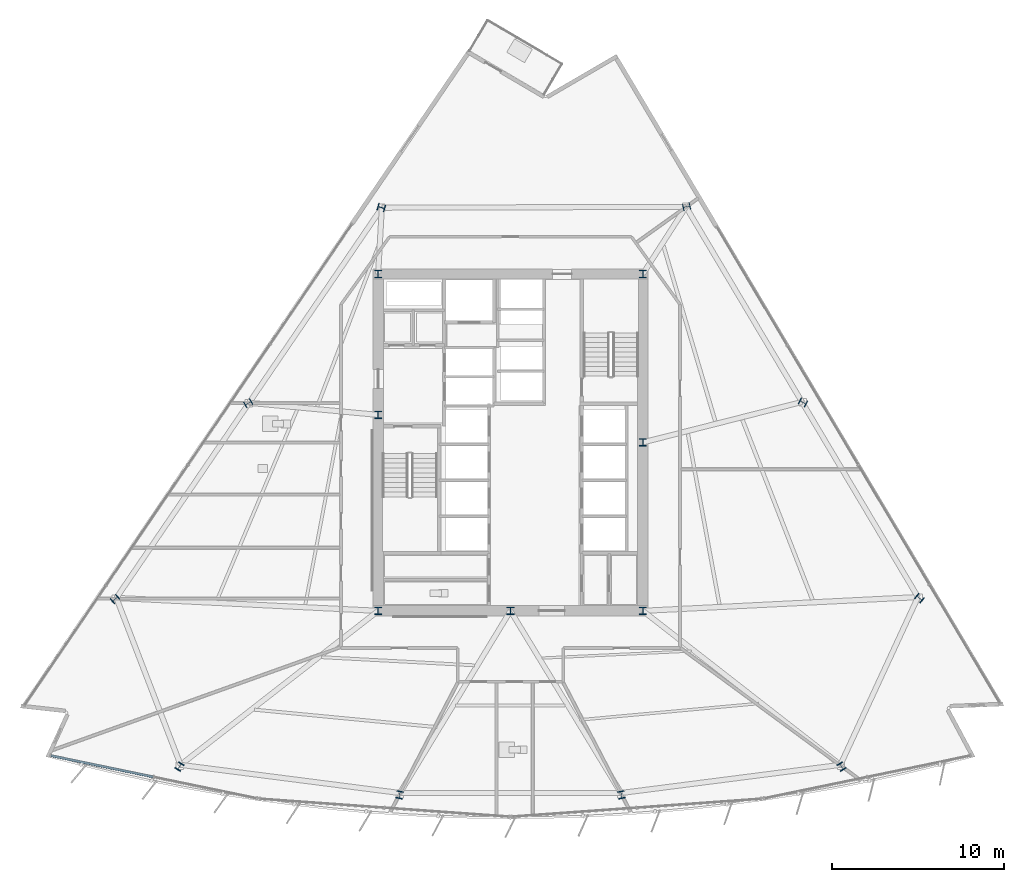
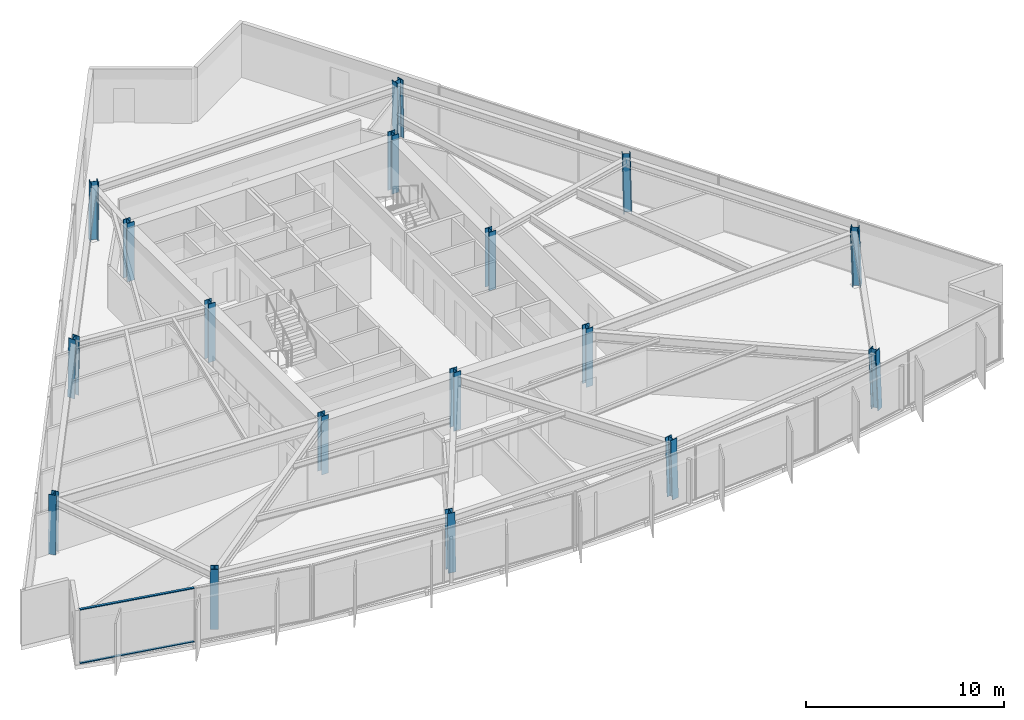
# One storey, part 1 of 15: 17 columns, 2 members, 1 element without a shape of its own.
"""IFC4 building model written with IfcOpenShell, lengths in metres."""

from ifc_helpers import new_model, si_unit, direction, frame, origin, origin_2d, place, context, subcontext, project, spatial, rectangle, i_section, extrude, material, material_profile, profile_set, type_object, element, aggregate, save


model = new_model("IFC4")

# Units and contexts
model_context = context("Model", 3, precision=1e-05, world=origin(), true_north=direction((0.0, 1.0)))
body_context = subcontext(model_context, "Body", "Model", "MODEL_VIEW")
ifc_project = project(units=[si_unit("LENGTHUNIT", "METRE"), si_unit("AREAUNIT", "SQUARE_METRE"), si_unit("VOLUMEUNIT", "CUBIC_METRE"), si_unit("PLANEANGLEUNIT", "RADIAN"), si_unit("MASSUNIT", "GRAM", prefix="KILO")], contexts=[model_context])

# Site, building, storey
site_placement = place(None, origin())
site = spatial("IfcSite", under=ifc_project, at=site_placement, CompositionType="ELEMENT")
building_placement = place(site_placement, origin())
building = spatial("IfcBuilding", under=site, at=building_placement, Name="Savorim Split Tower", CompositionType="ELEMENT")
storey_placement = place(building_placement, frame((0.0, 0.0, 82.5)))
storey = spatial("IfcBuildingStorey", under=building, at=storey_placement, Name="L21", CompositionType="ELEMENT", Elevation=82.5)

# Columns
ifc_material_1 = material(Name="Steel S460", Category="steel")
ifc_material_profile_1 = material_profile(ifc_material_1, i_section(OverallWidth=0.408935546875, OverallDepth=0.425048828125, WebThickness=0.020751953125, FlangeThickness=0.033935546875, FilletRadius=0.014892578125, at=origin_2d()), Name="HD 400x421")
ifc_profile_set_1 = profile_set([ifc_material_profile_1], Name="Steel S460")
column_type = type_object("IfcColumnType", Name="COL-HD-421", PredefinedType="COLUMN", material=ifc_profile_set_1)
for number, where, z_axis, x_axis, name in (
    (1, (-7.699951171875, -9.39990234375, 0.0), (0.0, 0.0, 1.0), (1.0, 0.0, 0.0), "L21 Core Structural Column TC-C1"),
    (2, (7.699951171875, -9.39990234375, 0.0), (0.0, 0.0, 1.0), (1.0, 0.0, 0.0), "L21 Core Structural Column TC-C2"),
    (3, (7.699951171875, 10.199951171875, 0.0), (0.0, 0.0, 1.0), (1.0, 0.0, 0.0), "L21 Core Structural Column TC-C3"),
    (4, (-7.699951171875, 10.199951171875, 0.0), (0.0, 0.0, 1.0), (1.0, 0.0, 0.0), "L21 Core Structural Column TC-C4"),
    (5, (0.0, -9.39990234375, 0.0), (0.0, 0.0, 1.0), (1.0, 0.0, 0.0), "L21 Core Structural Column TC-C5"),
    (6, (7.699951171875, 0.39990234375, 0.0), (0.0, 0.0, 1.0), (1.0, 0.0, 0.0), "L21 Core Structural Column TC-C6"),
    (7, (-7.699951171875, 2.0, 0.0), (0.0, 0.0, 1.0), (1.0, 0.0, 0.0), "L21 Core Structural Column TC-C7"),
):
    element("IfcColumn", number, at=place(storey_placement, frame(where, z_axis=z_axis, x_axis=x_axis)), inside=storey, type_object=column_type, Name=name, PredefinedType="COLUMN", context=body_context, shape_type="SweptSolid", body=[
        extrude(i_section(OverallWidth=0.408935546875, OverallDepth=0.425048828125, WebThickness=0.020751953125, FlangeThickness=0.033935546875, FilletRadius=0.014892578125, at=origin_2d()), origin(), (0.0, 0.0, 1.0), 3.60009765625),
    ])
column_1_placement = place(storey_placement, frame((-19.269287109375, -18.480224609375, 0.005615234375), z_axis=(0.020596292833, 0.033511459955, 0.999226087917), x_axis=(-0.851954850327, 0.523615252838, 0.0)))
element("IfcColumn", 8, at=column_1_placement, inside=storey, type_object=column_type, Name="L21 Tapered Perimeter Column PC-S1", PredefinedType="COLUMN", context=body_context, shape_type="SweptSolid", body=[
    extrude(i_section(OverallWidth=0.408935546875, OverallDepth=0.425048828125, WebThickness=0.020751953125, FlangeThickness=0.033935546875, FilletRadius=0.014892578125, at=origin_2d()), origin(), (0.0, 0.0, 1.0), 3.591552734375),
])
for number, where, z_axis, x_axis, name in (
    (9, (-6.458251953125, -20.125, 0.005615234375), (0.006934288159, 0.035283289748, 0.999353293441), (-0.981229659911, 0.192842823335, 0.0), "L21 Tapered Perimeter Column PC-S2"),
    (10, (6.458251953125, -20.125, 0.005615234375), (-0.006934288159, 0.035283289748, 0.999353293441), (-0.981229659911, -0.192842823335, 0.0), "L21 Tapered Perimeter Column PC-S3"),
):
    element("IfcColumn", number, at=place(storey_placement, frame(where, z_axis=z_axis, x_axis=x_axis)), inside=storey, type_object=column_type, Name=name, PredefinedType="COLUMN", context=body_context, shape_type="SweptSolid", body=[
        extrude(i_section(OverallWidth=0.408935546875, OverallDepth=0.425048828125, WebThickness=0.020751953125, FlangeThickness=0.033935546875, FilletRadius=0.014892578125, at=origin_2d()), origin(), (0.0, 0.0, 1.0), 3.59130859375),
    ])
column_2_placement = place(storey_placement, frame((19.269287109375, -18.480224609375, 0.005615234375), z_axis=(-0.020596292833, 0.033511459955, 0.999226087917), x_axis=(-0.851954850327, -0.523615252838, 0.0)))
element("IfcColumn", 11, at=column_2_placement, inside=storey, type_object=column_type, Name="L21 Tapered Perimeter Column PC-S4", PredefinedType="COLUMN", context=body_context, shape_type="SweptSolid", body=[
    extrude(i_section(OverallWidth=0.408935546875, OverallDepth=0.425048828125, WebThickness=0.020751953125, FlangeThickness=0.033935546875, FilletRadius=0.014892578125, at=origin_2d()), origin(), (0.0, 0.0, 1.0), 3.591552734375),
])
column_3_placement = place(storey_placement, frame((23.802490234375, -8.677001953125, 0.005615234375), z_axis=(-0.026039494941, 0.021620259507, 0.999427090428), x_axis=(-0.638800249892, -0.769372628015, 0.0)))
element("IfcColumn", 12, at=column_3_placement, inside=storey, type_object=column_type, Name="L21 Tapered Perimeter Column PC-E1", PredefinedType="COLUMN", context=body_context, shape_type="SweptSolid", body=[
    extrude(i_section(OverallWidth=0.408935546875, OverallDepth=0.425048828125, WebThickness=0.020751953125, FlangeThickness=0.033935546875, FilletRadius=0.014892578125, at=origin_2d()), origin(), (0.0, 0.0, 1.0), 3.5908203125),
])
column_4_placement = place(storey_placement, frame((17.02685546875, 2.718017578125, 0.005615234375), z_axis=(-0.018907326549, 0.00952167524, 0.999775900241), x_axis=(-0.449781931574, -0.893138406984, 0.0)))
element("IfcColumn", 13, at=column_4_placement, inside=storey, type_object=column_type, Name="L21 Tapered Perimeter Column PC-E2", PredefinedType="COLUMN", context=body_context, shape_type="SweptSolid", body=[
    extrude(i_section(OverallWidth=0.408935546875, OverallDepth=0.425048828125, WebThickness=0.020751953125, FlangeThickness=0.033935546875, FilletRadius=0.014892578125, at=origin_2d()), origin(), (0.0, 0.0, 1.0), 3.589599609375),
])
for number, where, z_axis, x_axis, name in (
    (14, (10.251220703125, 14.113037109375, 0.005615234375), (-0.011767855299, -0.002516824544, 0.999927588966), (0.209143047003, -0.977885057607, 0.0), "L21 Tapered Perimeter Column PC-E3"),
    (15, (-7.5166015625, 14.064208984375, 0.005615234375), (0.00877514453, -0.002516901919, 0.999958330153), (0.275705143097, 0.961242255662, 0.0), "L21 Tapered Perimeter Column PC-W1"),
):
    element("IfcColumn", number, at=place(storey_placement, frame(where, z_axis=z_axis, x_axis=x_axis)), inside=storey, type_object=column_type, Name=name, PredefinedType="COLUMN", context=body_context, shape_type="SweptSolid", body=[
        extrude(i_section(OverallWidth=0.408935546875, OverallDepth=0.425048828125, WebThickness=0.020751953125, FlangeThickness=0.033935546875, FilletRadius=0.014892578125, at=origin_2d()), origin(), (0.0, 0.0, 1.0), 3.589111328125),
    ])
column_5_placement = place(storey_placement, frame((-15.2685546875, 2.669189453125, 0.005615234375), z_axis=(0.017003572908, 0.009522000828, 0.999810086971), x_axis=(-0.488603368932, 0.87250601595, 0.0)))
element("IfcColumn", 16, at=column_5_placement, inside=storey, type_object=column_type, Name="L21 Tapered Perimeter Column PC-W2", PredefinedType="COLUMN", context=body_context, shape_type="SweptSolid", body=[
    extrude(i_section(OverallWidth=0.408935546875, OverallDepth=0.425048828125, WebThickness=0.020751953125, FlangeThickness=0.033935546875, FilletRadius=0.014892578125, at=origin_2d()), origin(), (0.0, 0.0, 1.0), 3.589599609375),
])
column_6_placement = place(storey_placement, frame((-23.020263671875, -8.725830078125, 0.005615234375), z_axis=(0.025224163578, 0.021620711639, 0.999447990843), x_axis=(-0.650791373456, 0.759256602365, 0.0)))
element("IfcColumn", 17, at=column_6_placement, inside=storey, type_object=column_type, Name="L21 Tapered Perimeter Column PC-W3", PredefinedType="COLUMN", context=body_context, shape_type="SweptSolid", body=[
    extrude(i_section(OverallWidth=0.408935546875, OverallDepth=0.425048828125, WebThickness=0.020751953125, FlangeThickness=0.033935546875, FilletRadius=0.014892578125, at=origin_2d()), origin(), (0.0, 0.0, 1.0), 3.5908203125),
])

# Curtain wall, members
ifc_material_2 = material(Name="Dark Ceramic-Fritted Insulated Glass", Category="glass")
curtain_wall_type = type_object("IfcCurtainWallType", Name="CW-TWR-FRIT-A", PredefinedType="NOTDEFINED", material=ifc_material_2)
curtain_wall_placement = place(storey_placement, origin())
curtain_wall = element("IfcCurtainWall", 18, at=curtain_wall_placement, inside=storey, type_object=curtain_wall_type, Name="L21 Curtain Wall CW-L21-SF1", PredefinedType="NOTDEFINED")
ifc_material_3 = material(Name="Charcoal Anodised Aluminium", Category="aluminium")
ifc_material_profile_2 = material_profile(ifc_material_3, rectangle(XDim=0.139892578125, YDim=0.054931640625, at=origin_2d()), Name="ALU-T 140x55")
ifc_profile_set_2 = profile_set([ifc_material_profile_2], Name="Charcoal Anodised Aluminium")
member_type = type_object("IfcMemberType", Name="CWT-140x55", PredefinedType="USERDEFINED", material=ifc_profile_set_2)
member_1_placement = place(storey_placement, frame((-26.7333984375, -17.82373046875, 0.027587890625), z_axis=(0.97913534694, -0.203209183781, 0.0), x_axis=(0.203209183781, 0.97913534694, 0.0)))
member_1 = element("IfcMember", 19, at=member_1_placement, type_object=member_type, Name="CW-02 transom 1.1", ObjectType="TRANSOM", PredefinedType="USERDEFINED", context=body_context, shape_type="SweptSolid", body=[
    extrude(rectangle(XDim=0.139892578125, YDim=0.054931640625, at=origin_2d()), origin(), (0.0, 0.0, 1.0), 6.072021484375),
])
member_2_placement = place(storey_placement, frame((-26.7333984375, -17.82373046875, 3.322509765625), z_axis=(0.97913534694, -0.203209183781, 0.0), x_axis=(0.203209183781, 0.97913534694, 0.0)))
member_2 = element("IfcMember", 20, at=member_2_placement, type_object=member_type, Name="CW-02 transom 1.2", ObjectType="TRANSOM", PredefinedType="USERDEFINED", context=body_context, shape_type="SweptSolid", body=[
    extrude(rectangle(XDim=0.139892578125, YDim=0.054931640625, at=origin_2d()), origin(), (0.0, 0.0, 1.0), 6.072021484375),
])
aggregate(curtain_wall, [member_1, member_2])

save(model, "model.ifc")
